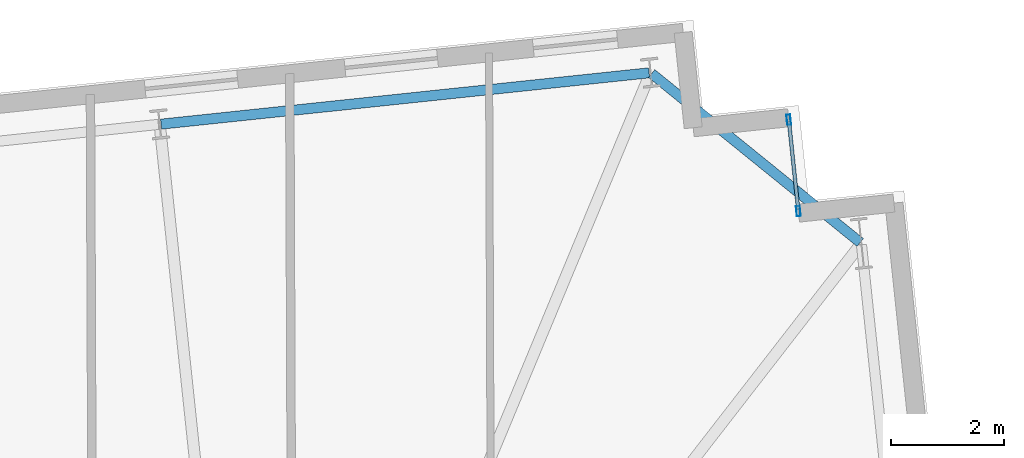
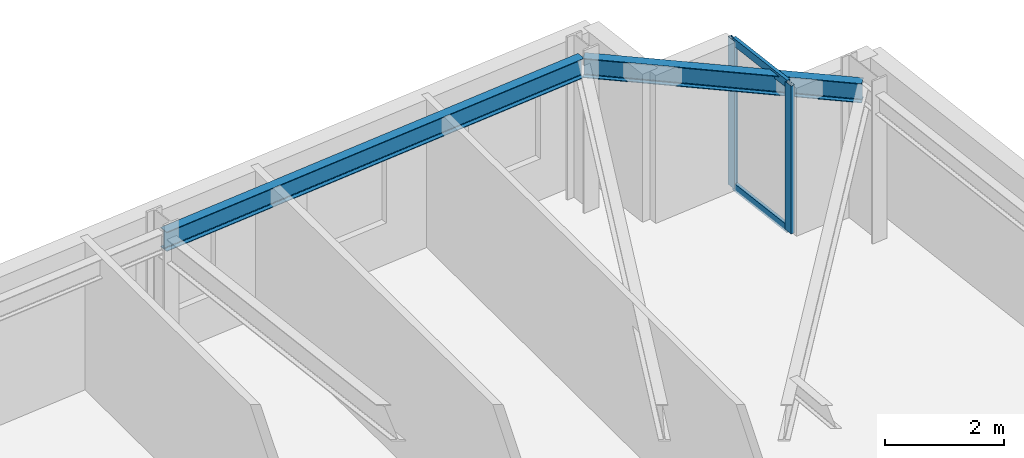
# One storey, part 10 of 19: 4 members, 2 beams, 1 element without a shape of its own.
"""IFC4 building model written with IfcOpenShell, lengths in metres."""

from ifc_helpers import new_model, si_unit, direction, frame, origin, origin_2d, place, context, subcontext, project, spatial, hollow_rectangle, i_section, extrude, material, layer, layer_set, material_profile, profile_set, type_object, element, aggregate, save


model = new_model("IFC4")

# Units and contexts
model_context = context("Model", 3, precision=1e-05, world=origin(), true_north=direction((0.0, 1.0)))
body_context = subcontext(model_context, "Body", "Model", "MODEL_VIEW")
ifc_project = project(units=[si_unit("LENGTHUNIT", "METRE"), si_unit("AREAUNIT", "SQUARE_METRE"), si_unit("VOLUMEUNIT", "CUBIC_METRE"), si_unit("PLANEANGLEUNIT", "RADIAN"), si_unit("MASSUNIT", "GRAM", prefix="KILO")], contexts=[model_context])

# Site, building, storey
site_placement = place(None, origin())
site = spatial("IfcSite", under=ifc_project, at=site_placement, CompositionType="ELEMENT")
building_placement = place(site_placement, origin())
building = spatial("IfcBuilding", under=site, at=building_placement, Name="Qobustan Lattice House", CompositionType="ELEMENT")
storey_placement = place(building_placement, frame((0.0, 0.0, 115.85009765625)))
storey = spatial("IfcBuildingStorey", under=building, at=storey_placement, Name="L32", CompositionType="ELEMENT", Elevation=115.85009765625)

# Beams
ifc_material_1 = material(Name="Steel S355", Category="steel")
ifc_material_profile_1 = material_profile(ifc_material_1, i_section(OverallWidth=0.179931640625, OverallDepth=0.39990234375, WebThickness=0.008544921875, FlangeThickness=0.013427734375, FilletRadius=0.02099609375, at=origin_2d()), Name="IPE400")
ifc_profile_set_1 = profile_set([ifc_material_profile_1], Name="Steel S355")
beam_type = type_object("IfcBeamType", Name="BM-SPD-IPE400", PredefinedType="SPANDREL", material=ifc_profile_set_1)
beam_1_placement = place(storey_placement, frame((29.536865234375, 19.484619140625, 2.844970703125), z_axis=(-0.777140911545, 0.629326627121, 0.0), x_axis=(-0.629326627121, -0.777140911545, 0.0)))
element("IfcBeam", 1, at=beam_1_placement, inside=storey, type_object=beam_type, Name="L32 perimeter spandrel E4-N1", PredefinedType="SPANDREL", context=body_context, shape_type="SweptSolid", body=[
    extrude(i_section(OverallWidth=0.179931640625, OverallDepth=0.39990234375, WebThickness=0.008544921875, FlangeThickness=0.013427734375, FilletRadius=0.02099609375, at=origin_2d()), origin(), (0.0, 0.0, 1.0), 4.758544921875),
])
beam_2_placement = place(storey_placement, frame((25.794677734375, 22.492431640625, 2.844970703125), z_axis=(-0.994521586424, -0.104531402636, 0.0), x_axis=(0.104531402636, -0.994521586424, 0.0)))
element("IfcBeam", 2, at=beam_2_placement, inside=storey, type_object=beam_type, Name="L32 perimeter spandrel N1-N2", PredefinedType="SPANDREL", context=body_context, shape_type="SweptSolid", body=[
    extrude(i_section(OverallWidth=0.179931640625, OverallDepth=0.39990234375, WebThickness=0.008544921875, FlangeThickness=0.013427734375, FilletRadius=0.02099609375, at=origin_2d()), origin(), (0.0, 0.0, 1.0), 8.699951171875),
])

# Curtain wall, members
ifc_material_2 = material(Name="Anodised aluminium and low-E glazing", Category="aluminium")
ifc_layer = layer(ifc_material_2, 0.219970703125)
ifc_layer_set = layer_set([ifc_layer], Name="Anodised aluminium and low-E glazing")
curtain_wall_type = type_object("IfcCurtainWallType", Name="CW-FAC-01", PredefinedType="USERDEFINED", material=ifc_layer_set)
curtain_wall_placement = place(storey_placement, origin())
curtain_wall = element("IfcCurtainWall", 3, at=curtain_wall_placement, inside=storey, type_object=curtain_wall_type, Name="L32 serrated corner faceted glazing 13", ObjectType="CURTAIN WALL", PredefinedType="USERDEFINED")
ifc_material_3 = material(Name="Anodised aluminium EN AW-6063 T6", Category="aluminium")
ifc_material_profile_2 = material_profile(ifc_material_3, hollow_rectangle(XDim=0.070068359375, YDim=0.179931640625, WallThickness=0.00439453125, at=origin_2d()), Name="CWM-180x70")
ifc_profile_set_2 = profile_set([ifc_material_profile_2], Name="Anodised aluminium EN AW-6063 T6")
member_type_1 = type_object("IfcMemberType", Name="CWM-STD-180", PredefinedType="MULLION", material=ifc_profile_set_2)
member_1_placement = place(storey_placement, frame((28.27001953125, 21.66162109375, 0.0), z_axis=(0.0, 0.0, 1.0), x_axis=(0.994521878892, 0.104528620025, 0.0)))
member_1 = element("IfcMember", 4, at=member_1_placement, type_object=member_type_1, Name="CW-F1 mullion 1", PredefinedType="MULLION", context=body_context, shape_type="SweptSolid", body=[
    extrude(hollow_rectangle(XDim=0.070068359375, YDim=0.179931640625, WallThickness=0.00439453125, at=origin_2d()), origin(), (0.0, 0.0, 1.0), 3.044921875),
])
member_2_placement = place(storey_placement, frame((28.4404296875, 20.04052734375, 0.0), z_axis=(0.0, 0.0, 1.0), x_axis=(0.994521878892, 0.104528620025, 0.0)))
member_2 = element("IfcMember", 5, at=member_2_placement, type_object=member_type_1, Name="CW-F1 mullion 2", PredefinedType="MULLION", context=body_context, shape_type="SweptSolid", body=[
    extrude(hollow_rectangle(XDim=0.070068359375, YDim=0.179931640625, WallThickness=0.00439453125, at=origin_2d()), origin(), (0.0, 0.0, 1.0), 3.044921875),
])
ifc_material_4 = material(Name="Anodised aluminium EN AW-6063 T6", Category="aluminium")
ifc_material_profile_3 = material_profile(ifc_material_4, hollow_rectangle(XDim=0.06494140625, YDim=0.159912109375, WallThickness=0.00390625, at=origin_2d()), Name="CWT-160x65")
ifc_profile_set_3 = profile_set([ifc_material_profile_3], Name="Anodised aluminium EN AW-6063 T6")
member_type_2 = type_object("IfcMemberType", Name="CWT-HOR-160", PredefinedType="USERDEFINED", material=ifc_profile_set_3)
member_3_placement = place(storey_placement, frame((28.273681640625, 21.626708984375, 0.032470703125), z_axis=(0.104538150424, -0.994520877159, 0.0), x_axis=(0.994520877159, 0.104538150424, 0.0)))
member_3 = element("IfcMember", 6, at=member_3_placement, type_object=member_type_2, Name="CW-F1 transom 1.1", ObjectType="TRANSOM", PredefinedType="USERDEFINED", context=body_context, shape_type="SweptSolid", body=[
    extrude(hollow_rectangle(XDim=0.06494140625, YDim=0.159912109375, WallThickness=0.00390625, at=origin_2d()), origin(), (0.0, 0.0, 1.0), 1.56005859375),
])
member_4_placement = place(storey_placement, frame((28.273681640625, 21.626708984375, 3.012451171875), z_axis=(0.104538150424, -0.994520877159, 0.0), x_axis=(0.994520877159, 0.104538150424, 0.0)))
member_4 = element("IfcMember", 7, at=member_4_placement, type_object=member_type_2, Name="CW-F1 transom 1.2", ObjectType="TRANSOM", PredefinedType="USERDEFINED", context=body_context, shape_type="SweptSolid", body=[
    extrude(hollow_rectangle(XDim=0.06494140625, YDim=0.159912109375, WallThickness=0.00390625, at=origin_2d()), origin(), (0.0, 0.0, 1.0), 1.56005859375),
])
aggregate(curtain_wall, [member_1, member_2, member_3, member_4])

save(model, "model.ifc")
